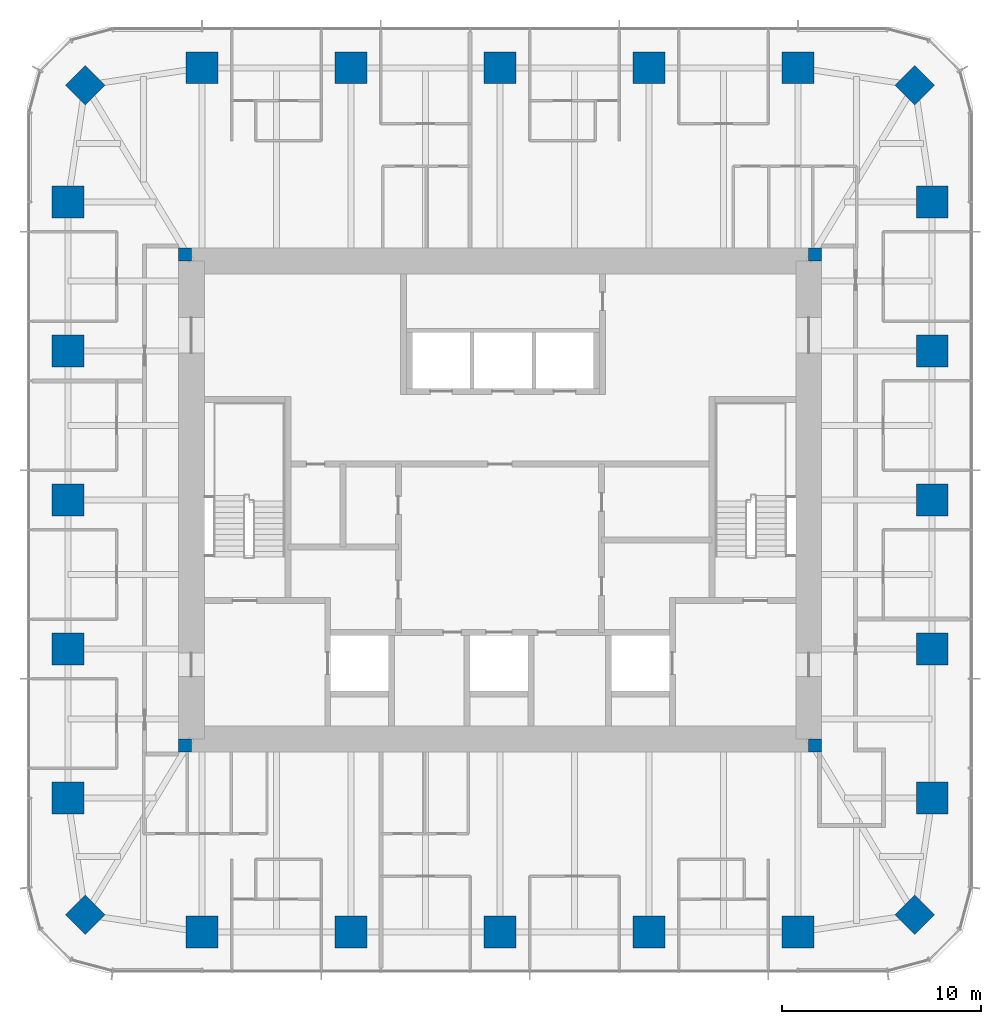
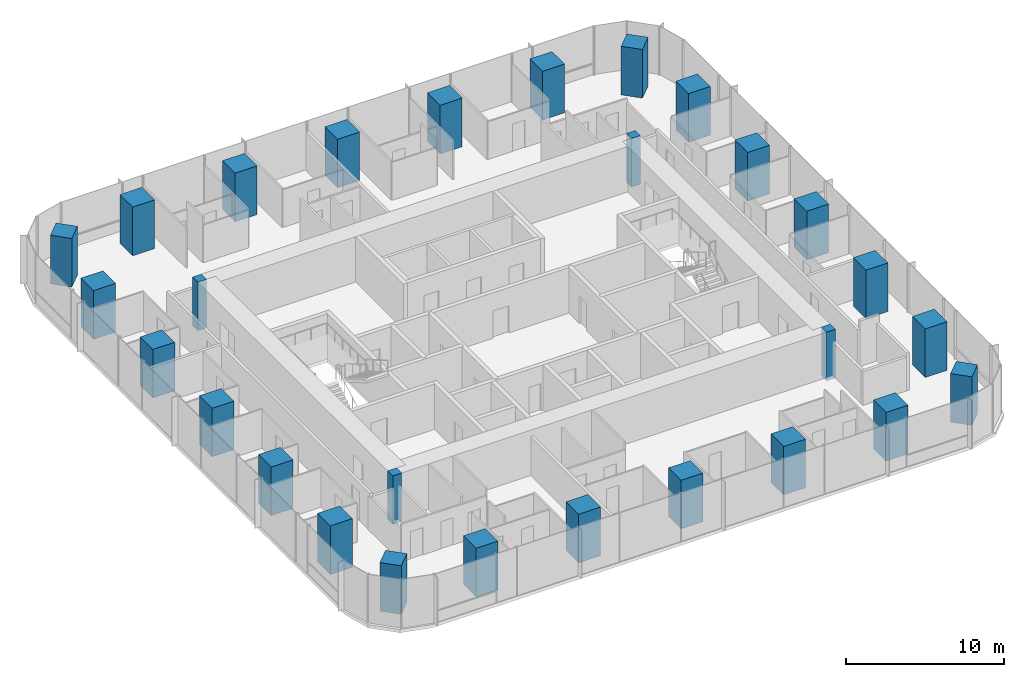
# One storey, part 1 of 12: 28 columns.
"""IFC4 building model written with IfcOpenShell, lengths in metres."""

from ifc_helpers import new_model, si_unit, direction, frame, origin, origin_2d, place, context, subcontext, project, spatial, rectangle, extrude, material, material_profile, profile_set, type_object, element, save


model = new_model("IFC4")

# Units and contexts
model_context = context("Model", 3, precision=1e-05, world=origin(), true_north=direction((0.0, 1.0)))
body_context = subcontext(model_context, "Body", "Model", "MODEL_VIEW")
ifc_project = project(units=[si_unit("LENGTHUNIT", "METRE"), si_unit("AREAUNIT", "SQUARE_METRE"), si_unit("VOLUMEUNIT", "CUBIC_METRE"), si_unit("PLANEANGLEUNIT", "RADIAN"), si_unit("MASSUNIT", "GRAM", prefix="KILO")], contexts=[model_context])

# Site, building, storey
site_placement = place(None, origin())
site = spatial("IfcSite", under=ifc_project, at=site_placement, CompositionType="ELEMENT")
building_placement = place(site_placement, origin())
building = spatial("IfcBuilding", under=site, at=building_placement, Name="Khuree Lantern Residences", CompositionType="ELEMENT")
storey_placement = place(building_placement, frame((0.0, 0.0, 300.75)))
storey = spatial("IfcBuildingStorey", under=building, at=storey_placement, Name="L75", CompositionType="ELEMENT", Elevation=300.75)

# Columns
ifc_material_1 = material(Name="Concrete C70/85", Category="concrete")
ifc_material_profile_1 = material_profile(ifc_material_1, rectangle(XDim=1.39990234375, YDim=1.39990234375, at=origin_2d()), Name="RC 1400X1400")
ifc_profile_set_1 = profile_set([ifc_material_profile_1], Name="Concrete C70/85")
column_type_1 = type_object("IfcColumnType", Name="CC1400 PERIMETER CORNER COLUMN RC 1400X1400", PredefinedType="COLUMN", material=ifc_profile_set_1)
for number, where, z_axis, x_axis, name in (
    (1, (20.8212890625, 20.8212890625, 0.0), (0.0, 0.0, 1.0), (0.707106781187, -0.707106781187, 0.0), "Perimeter column NE"),
    (2, (20.8212890625, -20.8212890625, 0.0), (0.0, 0.0, 1.0), (0.707106781187, 0.707106781187, 0.0), "Perimeter column SE"),
    (3, (-20.8212890625, -20.8212890625, 0.0), (0.0, 0.0, 1.0), (0.707106781187, -0.707106781187, 0.0), "Perimeter column SW"),
    (4, (-20.8212890625, 20.8212890625, 0.0), (0.0, 0.0, 1.0), (0.707106781187, 0.707106781187, 0.0), "Perimeter column NW"),
):
    element("IfcColumn", number, at=place(storey_placement, frame(where, z_axis=z_axis, x_axis=x_axis)), inside=storey, type_object=column_type_1, Name=name, PredefinedType="COLUMN", context=body_context, shape_type="SweptSolid", body=[
        extrude(rectangle(XDim=1.39990234375, YDim=1.39990234375, at=origin_2d()), origin(), (0.0, 0.0, 1.0), 3.75),
    ])
ifc_material_2 = material(Name="Concrete C50/60", Category="concrete")
ifc_material_profile_2 = material_profile(ifc_material_2, rectangle(XDim=0.64990234375, YDim=0.64990234375, at=origin_2d()), Name="RC 650X650")
ifc_profile_set_2 = profile_set([ifc_material_profile_2], Name="Concrete C50/60")
column_type_2 = type_object("IfcColumnType", Name="CP650-C50 CORE CORNER PIER C50 RC 650X650", PredefinedType="COLUMN", material=ifc_profile_set_2)
for number, where, z_axis, x_axis, name in (
    (5, (15.824951171875, 12.324951171875, -0.25), (0.0, 0.0, 1.0), (1.0, 0.0, 0.0), "Core corner pier NE"),
    (6, (-15.824951171875, 12.324951171875, -0.25), (0.0, 0.0, 1.0), (1.0, 0.0, 0.0), "Core corner pier NW"),
    (7, (-15.824951171875, -12.324951171875, -0.25), (0.0, 0.0, 1.0), (1.0, 0.0, 0.0), "Core corner pier SW"),
    (8, (15.824951171875, -12.324951171875, -0.25), (0.0, 0.0, 1.0), (1.0, 0.0, 0.0), "Core corner pier SE"),
):
    element("IfcColumn", number, at=place(storey_placement, frame(where, z_axis=z_axis, x_axis=x_axis)), inside=storey, type_object=column_type_2, Name=name, PredefinedType="COLUMN", context=body_context, shape_type="SweptSolid", body=[
        extrude(rectangle(XDim=0.64990234375, YDim=0.64990234375, at=origin_2d()), origin(), (0.0, 0.0, 1.0), 3.75),
    ])
ifc_material_profile_3 = material_profile(ifc_material_1, rectangle(XDim=1.60009765625, YDim=1.60009765625, at=origin_2d()), Name="RC 1600X1600")
ifc_profile_set_3 = profile_set([ifc_material_profile_3], Name="Concrete C70/85")
column_type_3 = type_object("IfcColumnType", Name="PC5 PERIMETER COLUMN RC 1600X1600", PredefinedType="COLUMN", material=ifc_profile_set_3)
for number, where, z_axis, x_axis, name in (
    (9, (-14.9599609375, 21.699951171875, 0.0), (0.0, 0.0, 1.0), (1.0, 0.0, 0.0), "Perimeter column N1"),
    (10, (-7.47998046875, 21.699951171875, 0.0), (0.0, 0.0, 1.0), (1.0, 0.0, 0.0), "Perimeter column N2"),
    (11, (0.0, 21.699951171875, 0.0), (0.0, 0.0, 1.0), (1.0, 0.0, 0.0), "Perimeter column N3"),
    (12, (7.47998046875, 21.699951171875, 0.0), (0.0, 0.0, 1.0), (1.0, 0.0, 0.0), "Perimeter column N4"),
    (13, (14.9599609375, 21.699951171875, 0.0), (0.0, 0.0, 1.0), (1.0, 0.0, 0.0), "Perimeter column N5"),
    (14, (21.699951171875, 14.9599609375, 0.0), (0.0, 0.0, 1.0), (0.0, 1.0, 0.0), "Perimeter column E1"),
    (15, (21.699951171875, 7.47998046875, 0.0), (0.0, 0.0, 1.0), (0.0, 1.0, 0.0), "Perimeter column E2"),
    (16, (21.699951171875, 0.0, 0.0), (0.0, 0.0, 1.0), (0.0, 1.0, 0.0), "Perimeter column E3"),
    (17, (21.699951171875, -7.47998046875, 0.0), (0.0, 0.0, 1.0), (0.0, 1.0, 0.0), "Perimeter column E4"),
    (18, (21.699951171875, -14.9599609375, 0.0), (0.0, 0.0, 1.0), (0.0, 1.0, 0.0), "Perimeter column E5"),
    (19, (14.9599609375, -21.699951171875, 0.0), (0.0, 0.0, 1.0), (1.0, 0.0, 0.0), "Perimeter column S1"),
    (20, (7.47998046875, -21.699951171875, 0.0), (0.0, 0.0, 1.0), (1.0, 0.0, 0.0), "Perimeter column S2"),
    (21, (0.0, -21.699951171875, 0.0), (0.0, 0.0, 1.0), (1.0, 0.0, 0.0), "Perimeter column S3"),
    (22, (-7.47998046875, -21.699951171875, 0.0), (0.0, 0.0, 1.0), (1.0, 0.0, 0.0), "Perimeter column S4"),
    (23, (-14.9599609375, -21.699951171875, 0.0), (0.0, 0.0, 1.0), (1.0, 0.0, 0.0), "Perimeter column S5"),
    (24, (-21.699951171875, -14.9599609375, 0.0), (0.0, 0.0, 1.0), (0.0, 1.0, 0.0), "Perimeter column W1"),
    (25, (-21.699951171875, -7.47998046875, 0.0), (0.0, 0.0, 1.0), (0.0, 1.0, 0.0), "Perimeter column W2"),
    (26, (-21.699951171875, 0.0, 0.0), (0.0, 0.0, 1.0), (0.0, 1.0, 0.0), "Perimeter column W3"),
    (27, (-21.699951171875, 7.47998046875, 0.0), (0.0, 0.0, 1.0), (0.0, 1.0, 0.0), "Perimeter column W4"),
    (28, (-21.699951171875, 14.9599609375, 0.0), (0.0, 0.0, 1.0), (0.0, 1.0, 0.0), "Perimeter column W5"),
):
    element("IfcColumn", number, at=place(storey_placement, frame(where, z_axis=z_axis, x_axis=x_axis)), inside=storey, type_object=column_type_3, Name=name, PredefinedType="COLUMN", context=body_context, shape_type="SweptSolid", body=[
        extrude(rectangle(XDim=1.60009765625, YDim=1.60009765625, at=origin_2d()), origin(), (0.0, 0.0, 1.0), 3.75),
    ])

save(model, "model.ifc")
